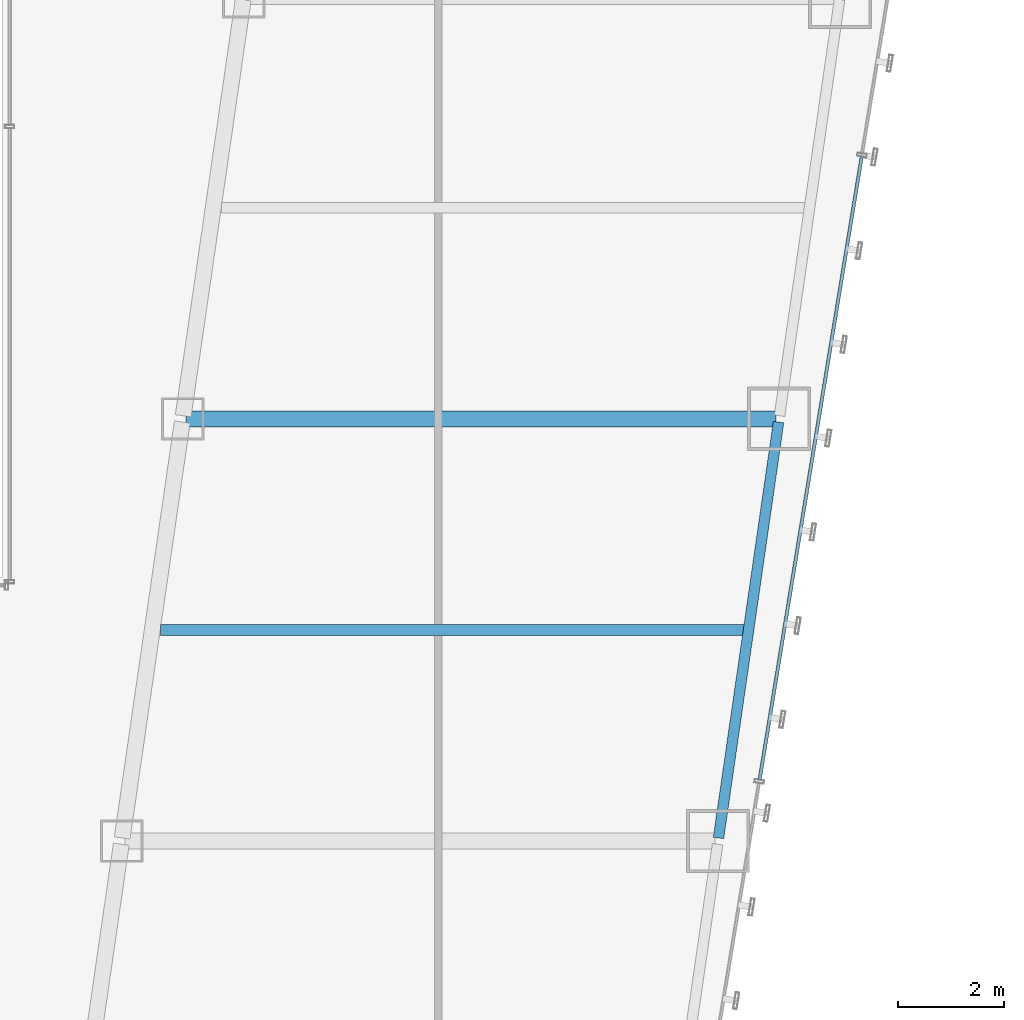
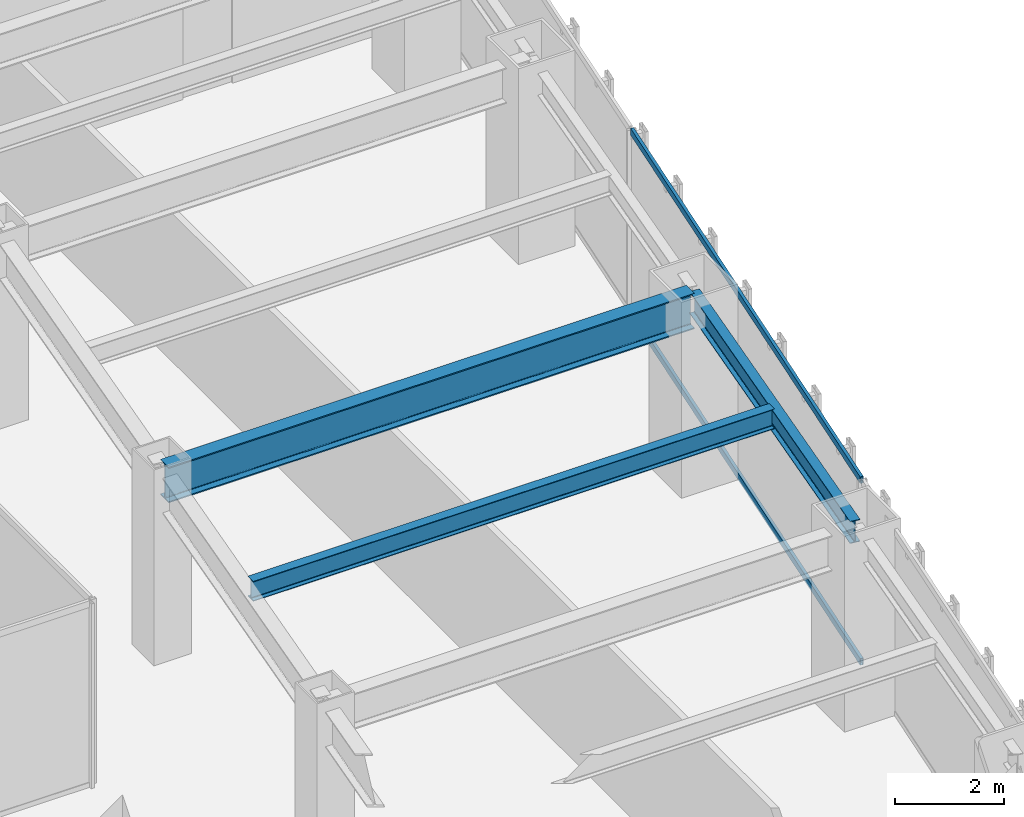
# One storey, part 19 of 47: 3 beams, 2 members, 1 element without a shape of its own.
"""IFC4 building model written with IfcOpenShell, lengths in metres."""

from ifc_helpers import new_model, si_unit, direction, frame, origin, origin_2d, place, context, subcontext, project, spatial, hollow_rectangle, i_section, extrude, material, material_profile, profile_set, type_object, element, aggregate, save


model = new_model("IFC4")

# Units and contexts
model_context = context("Model", 3, precision=1e-05, world=origin(), true_north=direction((0.0, 1.0)))
body_context = subcontext(model_context, "Body", "Model", "MODEL_VIEW")
ifc_project = project(units=[si_unit("LENGTHUNIT", "METRE"), si_unit("AREAUNIT", "SQUARE_METRE"), si_unit("VOLUMEUNIT", "CUBIC_METRE"), si_unit("PLANEANGLEUNIT", "RADIAN"), si_unit("MASSUNIT", "GRAM", prefix="KILO")], contexts=[model_context])

# Site, building, storey
site_placement = place(None, origin())
site = spatial("IfcSite", under=ifc_project, at=site_placement, CompositionType="ELEMENT")
building_placement = place(site_placement, origin())
building = spatial("IfcBuilding", under=site, at=building_placement, Name="Saevonmaru Cultural Tower", CompositionType="ELEMENT")
storey_placement = place(building_placement, frame((0.0, 0.0, 42.800048828125)))
storey = spatial("IfcBuildingStorey", under=building, at=storey_placement, Name="L08", CompositionType="ELEMENT", Elevation=42.800048828125)

# Beams
ifc_material_1 = material(Name="Steel SM420", Category="steel")
ifc_material_profile_1 = material_profile(ifc_material_1, i_section(OverallWidth=0.300048828125, OverallDepth=0.800048828125, WebThickness=0.013916015625, FlangeThickness=0.02587890625, FilletRadius=0.028076171875, at=origin_2d()), Name="H-800x300x14x26")
ifc_profile_set_1 = profile_set([ifc_material_profile_1], Name="Steel SM420")
beam_type_1 = type_object("IfcBeamType", Name="BM-G-H800", PredefinedType="BEAM", material=ifc_profile_set_1)
beam_1_placement = place(storey_placement, frame((39.2880859375, 24.0, 3.75), z_axis=(1.0, 0.0, 0.0), x_axis=(0.0, 1.0, 0.0)))
element("IfcBeam", 1, at=beam_1_placement, inside=storey, type_object=beam_type_1, Name="L08 East Wing Transverse Girder 4", PredefinedType="BEAM", context=body_context, shape_type="SweptSolid", body=[
    extrude(i_section(OverallWidth=0.300048828125, OverallDepth=0.800048828125, WebThickness=0.013916015625, FlangeThickness=0.02587890625, FilletRadius=0.028076171875, at=origin_2d()), origin(), (0.0, 0.0, 1.0), 11.179931640625),
])
ifc_material_2 = material(Name="Steel SM355", Category="steel")
ifc_material_profile_2 = material_profile(ifc_material_2, i_section(OverallWidth=0.199951171875, OverallDepth=0.449951171875, WebThickness=0.009033203125, FlangeThickness=0.013916015625, FilletRadius=0.01806640625, at=origin_2d()), Name="H-450x200x9x14")
ifc_profile_set_2 = profile_set([ifc_material_profile_2], Name="Steel SM355")
beam_type_2 = type_object("IfcBeamType", Name="BM-J-H450", PredefinedType="JOIST", material=ifc_profile_set_2)
beam_2_placement = place(storey_placement, frame((38.80810546875, 20.0, 3.925048828125), z_axis=(1.0, 0.0, 0.0), x_axis=(0.0, 1.0, 0.0)))
element("IfcBeam", 2, at=beam_2_placement, inside=storey, type_object=beam_type_2, Name="L08 East Wing Floor Joist 3", PredefinedType="JOIST", context=body_context, shape_type="SweptSolid", body=[
    extrude(i_section(OverallWidth=0.199951171875, OverallDepth=0.449951171875, WebThickness=0.009033203125, FlangeThickness=0.013916015625, FilletRadius=0.01806640625, at=origin_2d()), origin(), (0.0, 0.0, 1.0), 11.081787109375),
])
ifc_material_profile_3 = material_profile(ifc_material_2, i_section(OverallWidth=0.199951171875, OverallDepth=0.5, WebThickness=0.010009765625, FlangeThickness=0.01611328125, FilletRadius=0.02001953125, at=origin_2d()), Name="H-500x200x10x16")
ifc_profile_set_3 = profile_set([ifc_material_profile_3], Name="Steel SM355")
beam_type_3 = type_object("IfcBeamType", Name="BM-SP-H500", PredefinedType="SPANDREL", material=ifc_profile_set_3)
beam_3_placement = place(storey_placement, frame((49.380615234375, 16.059326171875, 3.89990234375), z_axis=(0.142992129437, 0.989723825579, 0.0), x_axis=(-0.989723825579, 0.142992129437, 0.0)))
element("IfcBeam", 3, at=beam_3_placement, inside=storey, type_object=beam_type_3, Name="L08 East Splayed Spandrel 3", PredefinedType="SPANDREL", context=body_context, shape_type="SweptSolid", body=[
    extrude(i_section(OverallWidth=0.199951171875, OverallDepth=0.5, WebThickness=0.010009765625, FlangeThickness=0.01611328125, FilletRadius=0.02001953125, at=origin_2d()), origin(), (0.0, 0.0, 1.0), 7.963134765625),
])

# Curtain wall, members
ifc_material_3 = material(Name="Satin Bronze Anodised Aluminium", Category="aluminium")
curtain_wall_type = type_object("IfcCurtainWallType", Name="CW-TYP-A", PredefinedType="NOTDEFINED", material=ifc_material_3)
curtain_wall_placement = place(storey_placement, origin())
curtain_wall = element("IfcCurtainWall", 4, at=curtain_wall_placement, inside=storey, type_object=curtain_wall_type, Name="L08 Unitised Curtain Wall E8", PredefinedType="NOTDEFINED")
ifc_material_profile_4 = material_profile(ifc_material_3, hollow_rectangle(XDim=0.06494140625, YDim=0.14990234375, WallThickness=0.00390625, at=origin_2d()), Name="ALU-TRAN-150x65x4")
ifc_profile_set_4 = profile_set([ifc_material_profile_4], Name="Satin Bronze Anodised Aluminium")
member_type = type_object("IfcMemberType", Name="TR-CW-150x65", PredefinedType="USERDEFINED", material=ifc_profile_set_4)
member_1_placement = place(storey_placement, frame((50.16015625, 17.16162109375, 0.032470703125), z_axis=(0.161701400727, 0.986839732177, 0.0), x_axis=(-0.986839732177, 0.161701400727, 0.0)))
member_1 = element("IfcMember", 5, at=member_1_placement, type_object=member_type, Name="CW-TW-L08-E8 transom 2.1", ObjectType="TRANSOM", PredefinedType="USERDEFINED", context=body_context, shape_type="SweptSolid", body=[
    extrude(hollow_rectangle(XDim=0.06494140625, YDim=0.14990234375, WallThickness=0.00390625, at=origin_2d()), origin(), (0.0, 0.0, 1.0), 11.9638671875),
])
member_2_placement = place(storey_placement, frame((50.16015625, 17.16162109375, 4.117431640625), z_axis=(0.161701400727, 0.986839732177, 0.0), x_axis=(-0.986839732177, 0.161701400727, 0.0)))
member_2 = element("IfcMember", 6, at=member_2_placement, type_object=member_type, Name="CW-TW-L08-E8 transom 2.2", ObjectType="TRANSOM", PredefinedType="USERDEFINED", context=body_context, shape_type="SweptSolid", body=[
    extrude(hollow_rectangle(XDim=0.06494140625, YDim=0.14990234375, WallThickness=0.00390625, at=origin_2d()), origin(), (0.0, 0.0, 1.0), 11.9638671875),
])
aggregate(curtain_wall, [member_1, member_2])

save(model, "model.ifc")
